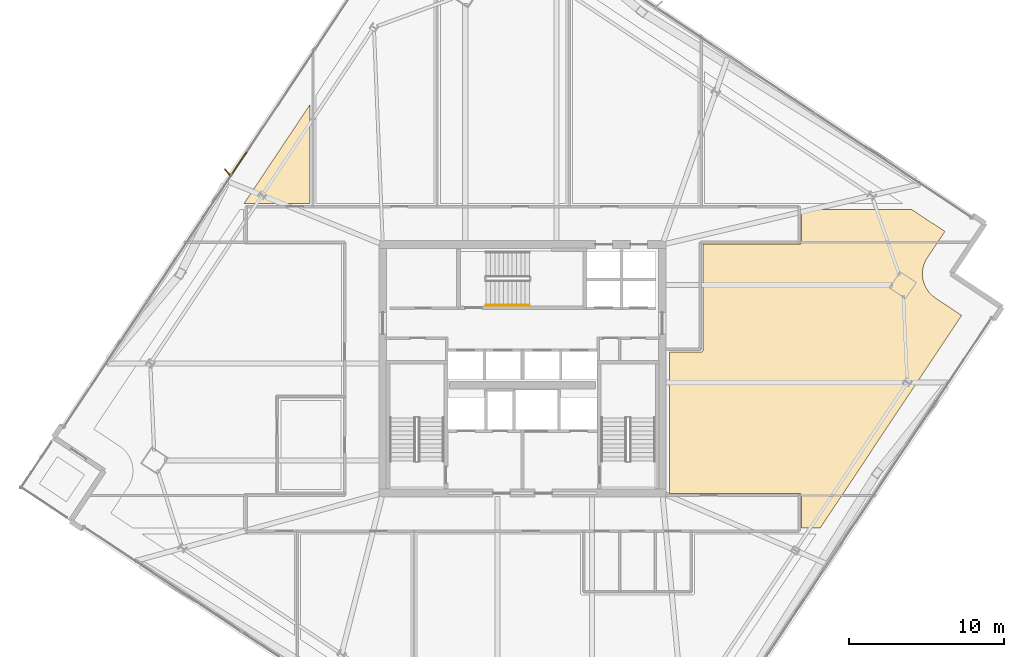
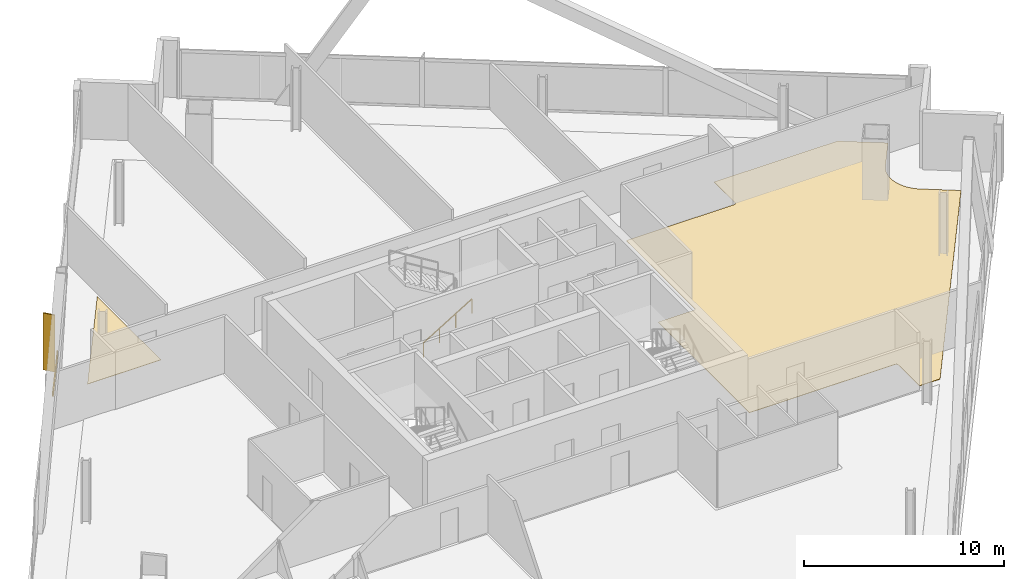
# One storey, part 30 of 32: 3 coverings, 1 railing, 1 shading device.
"""IFC4 building model written with IfcOpenShell, lengths in metres."""

from ifc_helpers import new_model, si_unit, direction, frame, origin, origin_2d, place, context, subcontext, project, spatial, polyline, rectangle, outline, extrude, source, transform, mapped, material, layer, layer_set, type_object, element, save


model = new_model("IFC4")

# Units and contexts
model_context = context("Model", 3, precision=1e-05, world=origin(), true_north=direction((0.0, 1.0)))
body_context = subcontext(model_context, "Body", "Model", "MODEL_VIEW")
ifc_project = project(units=[si_unit("LENGTHUNIT", "METRE"), si_unit("AREAUNIT", "SQUARE_METRE"), si_unit("VOLUMEUNIT", "CUBIC_METRE"), si_unit("PLANEANGLEUNIT", "RADIAN"), si_unit("MASSUNIT", "GRAM", prefix="KILO")], contexts=[model_context])

# Site, building, storey
site_placement = place(None, origin())
site = spatial("IfcSite", under=ifc_project, at=site_placement, CompositionType="ELEMENT")
building_placement = place(site_placement, origin())
building = spatial("IfcBuilding", under=site, at=building_placement, Name="Haldenkirk Collegiate Tower", CompositionType="ELEMENT")
storey_placement = place(building_placement, frame((0.0, 0.0, 217.199951171875)))
storey = spatial("IfcBuildingStorey", under=building, at=storey_placement, Name="L54", CompositionType="ELEMENT", Elevation=217.199951171875)

# Coverings
ifc_material_1 = material(Name="Engineered collegiate oak acoustic flooring", Category="wood")
ifc_layer_1 = layer(ifc_material_1, 0.02197265625)
ifc_layer_set_1 = layer_set([ifc_layer_1], Name="Engineered collegiate oak acoustic flooring")
covering_type_1 = type_object("IfcCoveringType", Name="COV-FLOOR-TIMBER", PredefinedType="FLOORING", material=ifc_layer_set_1)
covering_1_placement = place(storey_placement, origin())
element("IfcCovering", 1, at=covering_1_placement, inside=storey, type_object=covering_type_1, Name="L54 academic room finish 05", PredefinedType="FLOORING", context=body_context, shape_type="SweptSolid", body=[
    extrude(outline(polyline([(22.300048828125, 43.010009765625), (22.300048828125, 36.64990234375), (18.06640625, 36.64990234375), (22.300048828125, 43.010009765625)])), origin(), (0.0, 0.0, 1.0), 0.02197265625),
])
covering_2_placement = place(storey_placement, origin())
element("IfcCovering", 2, at=covering_2_placement, inside=storey, type_object=covering_type_1, Name="L54 academic room finish 11", PredefinedType="FLOORING", context=body_context, shape_type="SweptSolid", body=[
    extrude(outline(polyline([(62.06298828125, 33.1572265625), (62.06005859375, 33.152099609375), (61.971923828125, 33.0048828125), (61.96630859375, 32.994384765625), (61.893310546875, 32.839111328125), (61.888671875, 32.828125), (61.831298828125, 32.666259765625), (61.827880859375, 32.655029296875), (61.786376953125, 32.48828125), (61.7841796875, 32.476806640625), (61.75927734375, 32.306884765625), (61.758056640625, 32.295166015625), (61.75, 32.12353515625), (61.75, 32.11181640625), (61.7587890625, 31.940185546875), (61.759765625, 31.9287109375), (61.785400390625, 31.7587890625), (61.78759765625, 31.747314453125), (61.82958984375, 31.580810546875), (61.8330078125, 31.5693359375), (61.891357421875, 31.40771484375), (61.895751953125, 31.39697265625), (61.969482421875, 31.241943359375), (61.97509765625, 31.231689453125), (62.063720703125, 31.08447265625), (62.070068359375, 31.074462890625), (62.172607421875, 30.936767578125), (62.18017578125, 30.927734375), (62.295654296875, 30.80078125), (62.30419921875, 30.792236328125), (62.431640625, 30.67724609375), (62.440673828125, 30.669921875), (62.578857421875, 30.567626953125), (62.58349609375, 30.564208984375), (64.2734375, 29.439453125), (55.160888671875, 15.75), (53.969970703125, 15.75), (53.969970703125, 17.85009765625), (53.969482421875, 17.86181640625), (53.9677734375, 17.873291015625), (53.96484375, 17.884765625), (53.9609375, 17.89599609375), (53.955810546875, 17.906494140625), (53.94970703125, 17.916748046875), (53.94287109375, 17.926025390625), (53.934814453125, 17.934814453125), (53.926025390625, 17.94287109375), (53.916748046875, 17.94970703125), (53.906494140625, 17.955810546875), (53.89599609375, 17.9609375), (53.884765625, 17.96484375), (53.873291015625, 17.9677734375), (53.86181640625, 17.969482421875), (53.85009765625, 17.969970703125), (45.449951171875, 17.969970703125), (45.449951171875, 27.080078125), (47.5, 27.080078125), (47.51171875, 27.08056640625), (47.5234375, 27.082275390625), (47.534912109375, 27.085205078125), (47.5458984375, 27.089111328125), (47.556640625, 27.09423828125), (47.566650390625, 27.10009765625), (47.576171875, 27.107177734375), (47.5849609375, 27.114990234375), (47.5927734375, 27.123779296875), (47.599853515625, 27.13330078125), (47.605712890625, 27.143310546875), (47.61083984375, 27.154052734375), (47.61474609375, 27.165283203125), (47.61767578125, 27.176513671875), (47.619384765625, 27.188232421875), (47.6201171875, 27.199951171875), (47.6201171875, 34.030029296875), (53.85009765625, 34.030029296875), (53.86181640625, 34.030517578125), (53.873291015625, 34.0322265625), (53.884765625, 34.03515625), (53.89599609375, 34.0390625), (53.906494140625, 34.044189453125), (53.916748046875, 34.05029296875), (53.926025390625, 34.05712890625), (53.934814453125, 34.065185546875), (53.94287109375, 34.073974609375), (53.94970703125, 34.083251953125), (53.955810546875, 34.093505859375), (53.9609375, 34.10400390625), (53.96484375, 34.115234375), (53.9677734375, 34.126708984375), (53.969482421875, 34.13818359375), (53.969970703125, 34.14990234375), (53.969970703125, 36.25), (61.080322265625, 36.25), (63.18798828125, 34.846923828125), (62.06298828125, 33.1572265625)])), origin(), (0.0, 0.0, 1.0), 0.02197265625),
])

# Railing
ifc_material_2 = material(Name="Painted architectural tubular steel", Category="steel")
railing_type = type_object("IfcRailingType", Name="RLG-STAIR-HANDRAIL-900", PredefinedType="HANDRAIL", material=ifc_material_2)
railing_placement = place(storey_placement, frame((33.64990234375, 30.10009765625, 0.17041015625)))
element("IfcRailing", 3, at=railing_placement, inside=storey, type_object=railing_type, Name="L54 ST-3 stair handrail 1", PredefinedType="HANDRAIL", context=body_context, shape_type="SweptSolid", body=[
    extrude(rectangle(XDim=0.048095703125, YDim=0.048095703125, at=origin_2d()), frame((0.0, 0.0, 0.8759765625), z_axis=(0.854169791009, 0.0, 0.51999420009), x_axis=(0.0, 1.0, 0.0)), (0.0, 0.0, 1.0), 3.278076171875),
    extrude(rectangle(XDim=0.0419921875, YDim=0.0419921875, at=origin_2d()), origin(), (0.0, 0.0, 1.0), 0.851806640625),
    extrude(rectangle(XDim=0.0419921875, YDim=0.0419921875, at=origin_2d()), frame((0.933349609375, 0.0, 0.568115234375)), (0.0, 0.0, 1.0), 0.851806640625),
    extrude(rectangle(XDim=0.0419921875, YDim=0.0419921875, at=origin_2d()), frame((1.86669921875, 0.0, 1.136474609375)), (0.0, 0.0, 1.0), 0.851806640625),
    extrude(rectangle(XDim=0.0419921875, YDim=0.0419921875, at=origin_2d()), frame((2.800048828125, 0.0, 1.70458984375)), (0.0, 0.0, 1.0), 0.851806640625),
])

# Covering
ifc_material_3 = material(Name="Anodised architectural bronze aluminium", Category="aluminium")
ifc_layer_2 = layer(ifc_material_3, 0.06005859375)
ifc_layer_set_2 = layer_set([ifc_layer_2], Name="Anodised architectural bronze aluminium")
covering_type_2 = type_object("IfcCoveringType", Name="COV-CLAD-BRONZE-60", PredefinedType="CLADDING", material=ifc_layer_set_2)
shared_shape_1 = source(origin(), body_context, "Body", "SweptSolid", [
    extrude(rectangle(XDim=3.60009765625, YDim=0.06005859375, at=origin_2d()), origin(), (0.0, 0.0, 1.0), 0.300048828125),
])
covering_3_placement = place(storey_placement, frame((17.25341796875, 38.478759765625, -0.2998046875), z_axis=(0.0, 0.0, 1.0), x_axis=(0.554118199338, 0.832437998389, 0.0)))
element("IfcCovering", 4, at=covering_3_placement, inside=storey, type_object=covering_type_2, Name="L54 architectural bronze spandrel cladding N", PredefinedType="CLADDING", context=body_context, shape_type="MappedRepresentation", body=[
    mapped(shared_shape_1, transform((0.0, 0.0, 0.0), x_axis=(1.0, 0.0, 0.0), y_axis=(0.0, 1.0, 0.0), z_axis=(0.0, 0.0, 1.0), scale=1.0)),
])

# Shading device
ifc_layer_3 = layer(ifc_material_3, 0.06494140625)
ifc_layer_set_3 = layer_set([ifc_layer_3], Name="Anodised architectural bronze aluminium")
shading_device_type = type_object("IfcShadingDeviceType", Name="SHD-FIN-BRONZE-620", PredefinedType="USERDEFINED", material=ifc_layer_set_3)
shared_shape_2 = source(origin(), body_context, "Body", "SweptSolid", [
    extrude(rectangle(XDim=0.6201171875, YDim=0.06494140625, at=origin_2d()), origin(), (0.0, 0.0, 1.0), 3.469970703125),
])
shading_device_placement = place(storey_placement, frame((17.0078125, 38.64208984375, 0.0), z_axis=(0.0, 0.0, 1.0), x_axis=(-0.647455086819, 0.762103608804, 0.0)))
element("IfcShadingDevice", 5, at=shading_device_placement, inside=storey, type_object=shading_device_type, Name="L54 folded bronze solar fin 1", ObjectType="FIN", PredefinedType="USERDEFINED", context=body_context, shape_type="MappedRepresentation", body=[
    mapped(shared_shape_2, transform((0.0, 0.0, 0.0), x_axis=(1.0, 0.0, 0.0), y_axis=(0.0, 1.0, 0.0), z_axis=(0.0, 0.0, 1.0), scale=1.0)),
])

save(model, "model.ifc")
